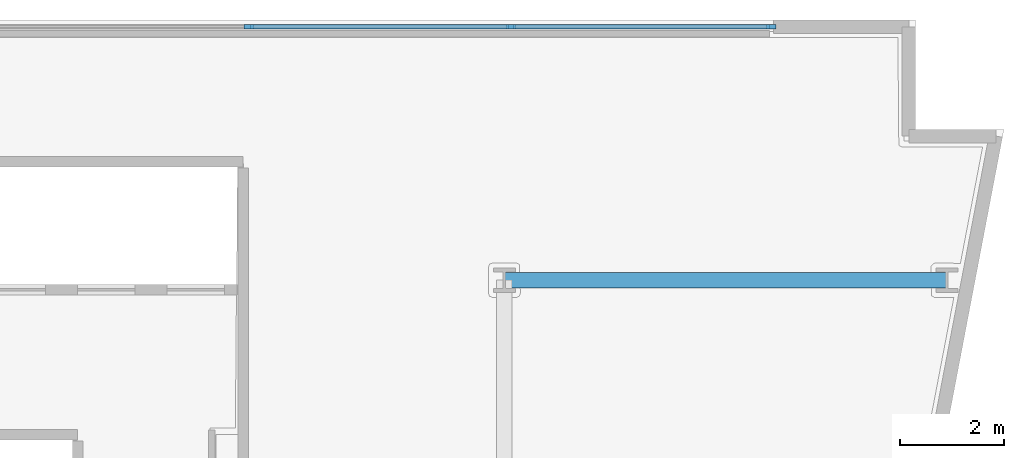
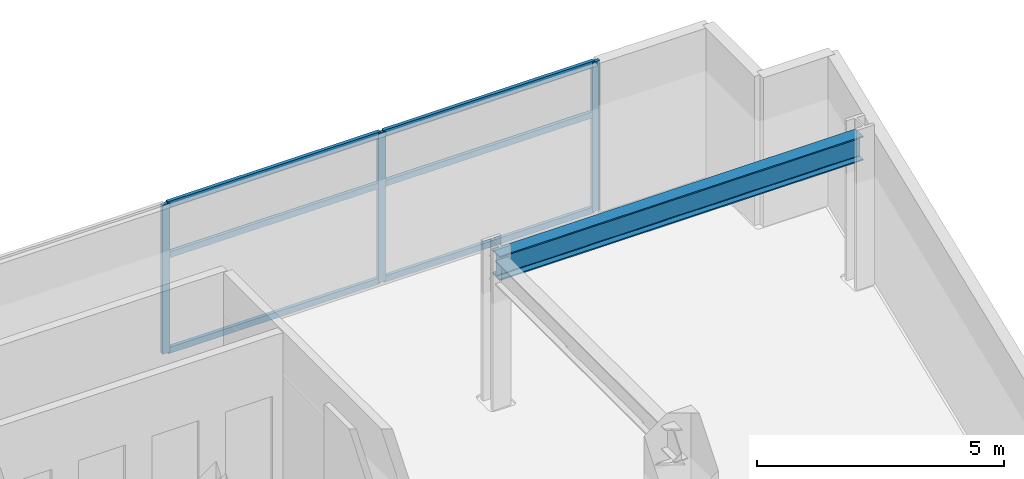
# One storey, part 4 of 13: 9 members, 1 beam, 1 element without a shape of its own.
"""IFC4 building model written with IfcOpenShell, lengths in metres."""

from ifc_helpers import new_model, si_unit, direction, frame, origin, origin_2d, place, context, subcontext, project, spatial, rectangle, i_section, extrude, material, layer, layer_set, material_profile, profile_set, type_object, element, aggregate, save


model = new_model("IFC4")

# Units and contexts
model_context = context("Model", 3, precision=1e-05, world=origin(), true_north=direction((0.0, 1.0)))
body_context = subcontext(model_context, "Body", "Model", "MODEL_VIEW")
ifc_project = project(units=[si_unit("LENGTHUNIT", "METRE"), si_unit("AREAUNIT", "SQUARE_METRE"), si_unit("VOLUMEUNIT", "CUBIC_METRE"), si_unit("PLANEANGLEUNIT", "RADIAN"), si_unit("MASSUNIT", "GRAM", prefix="KILO")], contexts=[model_context])

# Site, building, storey
site_placement = place(None, origin())
site = spatial("IfcSite", under=ifc_project, at=site_placement, CompositionType="ELEMENT")
building_placement = place(site_placement, origin())
building = spatial("IfcBuilding", under=site, at=building_placement, Name="Caeloran Harvest Quay", CompositionType="ELEMENT")
storey_placement = place(building_placement, frame((0.0, 0.0, 166.699951171875)))
storey = spatial("IfcBuildingStorey", under=building, at=storey_placement, Name="L39", CompositionType="ELEMENT", Elevation=166.699951171875)

# Beam
ifc_material_1 = material(Name="Steel S355J2", Category="steel")
ifc_material_profile_1 = material_profile(ifc_material_1, i_section(OverallWidth=0.300048828125, OverallDepth=0.60009765625, WebThickness=0.015380859375, FlangeThickness=0.030029296875, FilletRadius=0.027099609375, at=origin_2d()), Name="HE 600 B")
ifc_profile_set_1 = profile_set([ifc_material_profile_1], Name="Steel S355J2")
beam_type = type_object("IfcBeamType", Name="BM-PG-3-HE_600_B", PredefinedType="BEAM", material=ifc_profile_set_1)
beam_placement = place(storey_placement, frame((42.5, 38.5, 3.39013671875), z_axis=(1.0, 0.0, 0.0), x_axis=(0.0, 1.0, 0.0)))
element("IfcBeam", 1, at=beam_placement, inside=storey, type_object=beam_type, Name="L39 Primary East-West Girder Y=38.5", PredefinedType="BEAM", context=body_context, shape_type="SweptSolid", body=[
    extrude(i_section(OverallWidth=0.300048828125, OverallDepth=0.60009765625, WebThickness=0.015380859375, FlangeThickness=0.030029296875, FilletRadius=0.027099609375, at=origin_2d()), origin(), (0.0, 0.0, 1.0), 8.5),
])

# Curtain wall, members
ifc_material_2 = material(Name="Aluminium 6063-T6 and Low-E Glazing", Category="aluminium")
ifc_layer = layer(ifc_material_2, 0.22998046875, Name="Aluminium 6063-T6 and Low-E Glazing")
ifc_layer_set = layer_set([ifc_layer], Name="Aluminium 6063-T6 and Low-E Glazing")
curtain_wall_type = type_object("IfcCurtainWallType", Name="CW-SYS-CW-6", PredefinedType="USERDEFINED", material=ifc_layer_set)
curtain_wall_placement = place(storey_placement, origin())
curtain_wall = element("IfcCurtainWall", 2, at=curtain_wall_placement, inside=storey, type_object=curtain_wall_type, Name="L39 Unitised Curtain Wall CW-6 Run 6", ObjectType="CURTAIN_WALL", PredefinedType="USERDEFINED")
ifc_material_3 = material(Name="Aluminium 6063-T6", Category="aluminium")
ifc_material_profile_2 = material_profile(ifc_material_3, rectangle(XDim=0.080078125, YDim=0.179931640625, at=origin_2d()), Name="CW-MULLION-180")
ifc_profile_set_2 = profile_set([ifc_material_profile_2], Name="Aluminium 6063-T6")
member_type_1 = type_object("IfcMemberType", Name="CW-MULLION-180", PredefinedType="MULLION", material=ifc_profile_set_2)
member_1_placement = place(storey_placement, frame((37.5849609375, 43.3701171875, 0.0), z_axis=(0.0, 0.0, 1.0), x_axis=(0.0, 1.0, 0.0)))
member_1 = element("IfcMember", 3, at=member_1_placement, type_object=member_type_1, Name="CW-6 mullion 7", PredefinedType="MULLION", context=body_context, shape_type="SweptSolid", body=[
    extrude(rectangle(XDim=0.080078125, YDim=0.179931640625, at=origin_2d()), origin(), (0.0, 0.0, 1.0), 3.68994140625),
])
member_2_placement = place(storey_placement, frame((42.62744140625, 43.3701171875, 0.0), z_axis=(0.0, 0.0, 1.0), x_axis=(0.0, 1.0, 0.0)))
member_2 = element("IfcMember", 4, at=member_2_placement, type_object=member_type_1, Name="CW-6 mullion 8", PredefinedType="MULLION", context=body_context, shape_type="SweptSolid", body=[
    extrude(rectangle(XDim=0.080078125, YDim=0.179931640625, at=origin_2d()), origin(), (0.0, 0.0, 1.0), 3.68994140625),
])
member_3_placement = place(storey_placement, frame((47.6298828125, 43.3701171875, 0.0), z_axis=(0.0, 0.0, 1.0), x_axis=(0.0, 1.0, 0.0)))
member_3 = element("IfcMember", 5, at=member_3_placement, type_object=member_type_1, Name="CW-6 mullion 9", PredefinedType="MULLION", context=body_context, shape_type="SweptSolid", body=[
    extrude(rectangle(XDim=0.080078125, YDim=0.179931640625, at=origin_2d()), origin(), (0.0, 0.0, 1.0), 3.68994140625),
])
ifc_material_profile_3 = material_profile(ifc_material_3, rectangle(XDim=0.080078125, YDim=0.14990234375, at=origin_2d()), Name="CW-TRANSOM-150")
ifc_profile_set_3 = profile_set([ifc_material_profile_3], Name="Aluminium 6063-T6")
member_type_2 = type_object("IfcMemberType", Name="CW-TRANSOM-150", PredefinedType="USERDEFINED", material=ifc_profile_set_3)
member_4_placement = place(storey_placement, frame((37.625, 43.3701171875, 0.0400390625), z_axis=(1.0, 0.0, 0.0), x_axis=(0.0, 1.0, 0.0)))
member_4 = element("IfcMember", 6, at=member_4_placement, type_object=member_type_2, Name="CW-6 transom 7.1", ObjectType="TRANSOM", PredefinedType="USERDEFINED", context=body_context, shape_type="SweptSolid", body=[
    extrude(rectangle(XDim=0.080078125, YDim=0.14990234375, at=origin_2d()), origin(), (0.0, 0.0, 1.0), 4.96240234375),
])
member_5_placement = place(storey_placement, frame((37.625, 43.3701171875, 2.400146484375), z_axis=(1.0, 0.0, 0.0), x_axis=(0.0, 1.0, 0.0)))
member_5 = element("IfcMember", 7, at=member_5_placement, type_object=member_type_2, Name="CW-6 transom 7.2", ObjectType="TRANSOM", PredefinedType="USERDEFINED", context=body_context, shape_type="SweptSolid", body=[
    extrude(rectangle(XDim=0.080078125, YDim=0.14990234375, at=origin_2d()), origin(), (0.0, 0.0, 1.0), 4.96240234375),
])
member_6_placement = place(storey_placement, frame((37.625, 43.3701171875, 3.650146484375), z_axis=(1.0, 0.0, 0.0), x_axis=(0.0, 1.0, 0.0)))
member_6 = element("IfcMember", 8, at=member_6_placement, type_object=member_type_2, Name="CW-6 transom 7.3", ObjectType="TRANSOM", PredefinedType="USERDEFINED", context=body_context, shape_type="SweptSolid", body=[
    extrude(rectangle(XDim=0.080078125, YDim=0.14990234375, at=origin_2d()), origin(), (0.0, 0.0, 1.0), 4.96240234375),
])
member_7_placement = place(storey_placement, frame((42.66748046875, 43.3701171875, 0.0400390625), z_axis=(1.0, 0.0, 0.0), x_axis=(0.0, 1.0, 0.0)))
member_7 = element("IfcMember", 9, at=member_7_placement, type_object=member_type_2, Name="CW-6 transom 8.1", ObjectType="TRANSOM", PredefinedType="USERDEFINED", context=body_context, shape_type="SweptSolid", body=[
    extrude(rectangle(XDim=0.080078125, YDim=0.14990234375, at=origin_2d()), origin(), (0.0, 0.0, 1.0), 4.922607421875),
])
member_8_placement = place(storey_placement, frame((42.66748046875, 43.3701171875, 2.400146484375), z_axis=(1.0, 0.0, 0.0), x_axis=(0.0, 1.0, 0.0)))
member_8 = element("IfcMember", 10, at=member_8_placement, type_object=member_type_2, Name="CW-6 transom 8.2", ObjectType="TRANSOM", PredefinedType="USERDEFINED", context=body_context, shape_type="SweptSolid", body=[
    extrude(rectangle(XDim=0.080078125, YDim=0.14990234375, at=origin_2d()), origin(), (0.0, 0.0, 1.0), 4.922607421875),
])
member_9_placement = place(storey_placement, frame((42.66748046875, 43.3701171875, 3.650146484375), z_axis=(1.0, 0.0, 0.0), x_axis=(0.0, 1.0, 0.0)))
member_9 = element("IfcMember", 11, at=member_9_placement, type_object=member_type_2, Name="CW-6 transom 8.3", ObjectType="TRANSOM", PredefinedType="USERDEFINED", context=body_context, shape_type="SweptSolid", body=[
    extrude(rectangle(XDim=0.080078125, YDim=0.14990234375, at=origin_2d()), origin(), (0.0, 0.0, 1.0), 4.922607421875),
])
aggregate(curtain_wall, [member_1, member_2, member_3, member_4, member_5, member_6, member_7, member_8, member_9])

save(model, "model.ifc")
